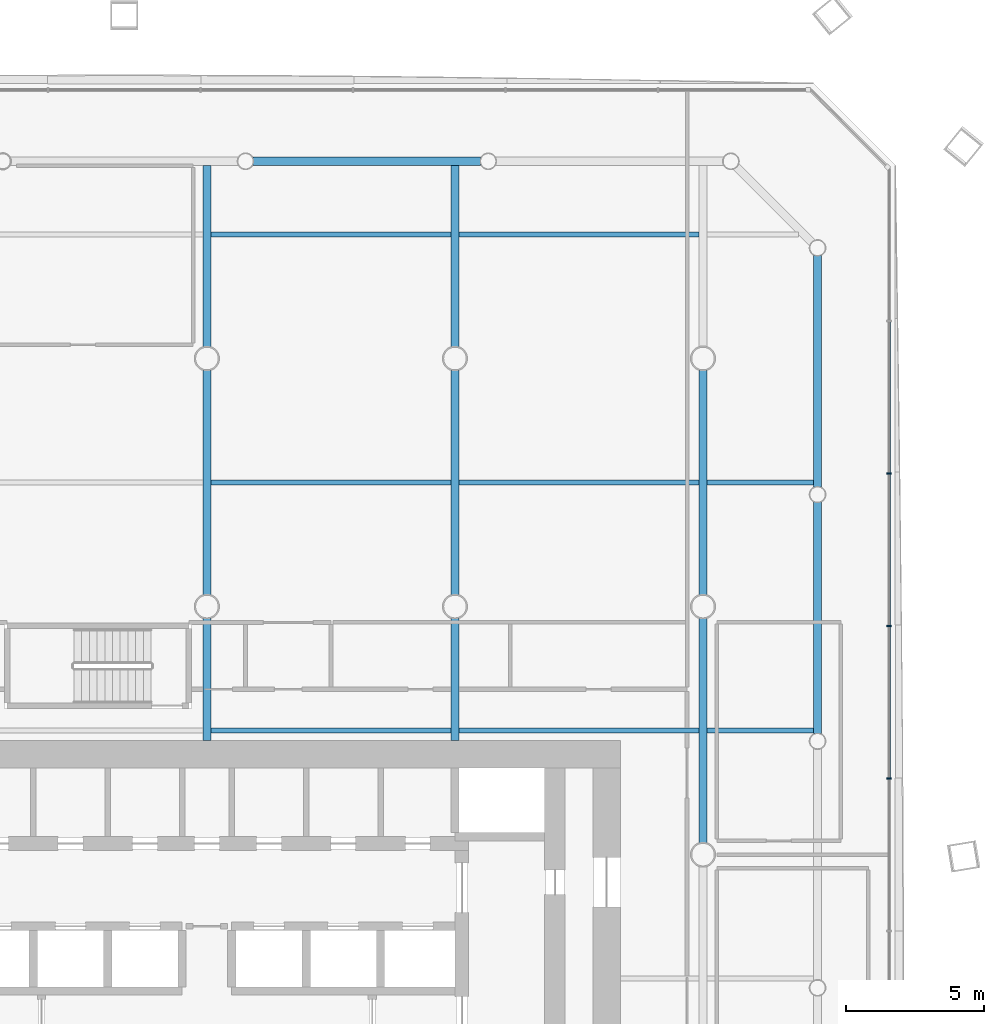
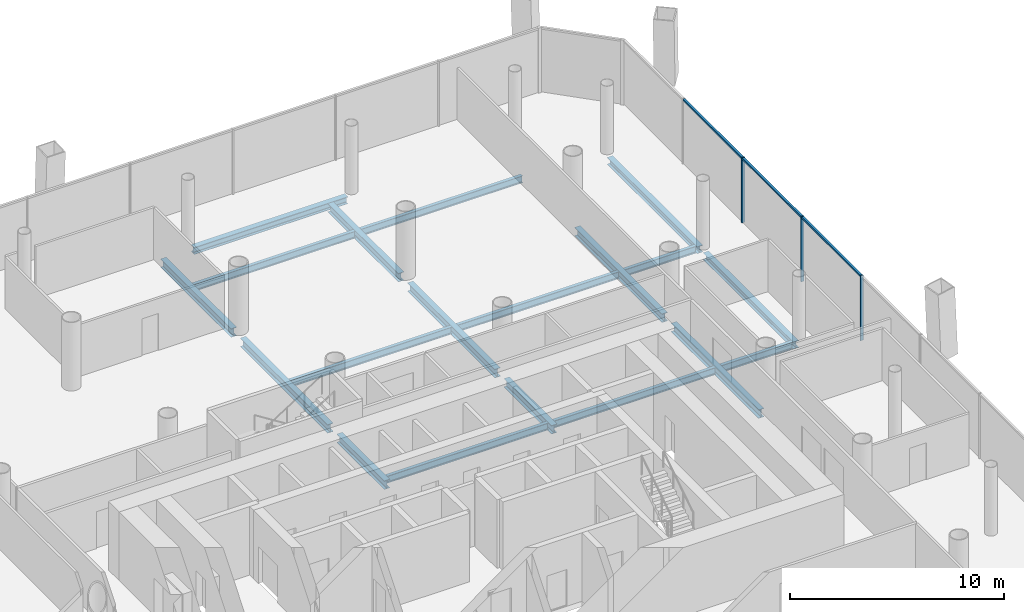
# One storey, part 11 of 22: 19 beams, 6 members, 1 element without a shape of its own.
"""IFC4 building model written with IfcOpenShell, lengths in metres."""

from ifc_helpers import new_model, si_unit, direction, frame, origin, origin_2d, place, context, subcontext, project, spatial, rectangle, i_section, extrude, material, material_profile, profile_set, type_object, element, aggregate, save


model = new_model("IFC4")

# Units and contexts
model_context = context("Model", 3, precision=1e-05, world=origin(), true_north=direction((0.0, 1.0)))
body_context = subcontext(model_context, "Body", "Model", "MODEL_VIEW")
ifc_project = project(units=[si_unit("LENGTHUNIT", "METRE"), si_unit("AREAUNIT", "SQUARE_METRE"), si_unit("VOLUMEUNIT", "CUBIC_METRE"), si_unit("PLANEANGLEUNIT", "RADIAN"), si_unit("MASSUNIT", "GRAM", prefix="KILO")], contexts=[model_context])

# Site, building, storey
site_placement = place(None, origin())
site = spatial("IfcSite", under=ifc_project, at=site_placement, CompositionType="ELEMENT")
building_placement = place(site_placement, origin())
building = spatial("IfcBuilding", under=site, at=building_placement, Name="Tskaro Facet Tower", CompositionType="ELEMENT")
storey_placement = place(building_placement, frame((0.0, 0.0, 18.60009765625)))
storey = spatial("IfcBuildingStorey", under=building, at=storey_placement, Name="L03", CompositionType="ELEMENT", Elevation=18.60009765625)

# Curtain wall, members
ifc_material_1 = material(Name="Bronze anodised aluminium 6063-T6", Category="aluminium")
curtain_wall_type = type_object("IfcCurtainWallType", Name="Bronze office curtain wall (FW1)", PredefinedType="NOTDEFINED", material=ifc_material_1)
curtain_wall_placement = place(storey_placement, origin())
curtain_wall = element("IfcCurtainWall", 1, at=curtain_wall_placement, inside=storey, type_object=curtain_wall_type, Name="FW1 east facet L03", PredefinedType="NOTDEFINED")
ifc_material_profile_1 = material_profile(ifc_material_1, rectangle(XDim=0.06005859375, YDim=0.159912109375, at=origin_2d()), Name="Mullion 60x160")
ifc_profile_set_1 = profile_set([ifc_material_profile_1], Name="Bronze anodised aluminium 6063-T6")
member_type_1 = type_object("IfcMemberType", Name="FW1 bronze mullion 60x160", PredefinedType="MULLION", material=ifc_profile_set_1)
member_1_placement = place(storey_placement, frame((24.75, 2.76611328125, 0.0), z_axis=(0.0, 0.0, 1.0), x_axis=(0.0, 1.0, 0.0)))
member_1 = element("IfcMember", 2, at=member_1_placement, type_object=member_type_1, Name="FW1 east mullion 5", PredefinedType="MULLION", context=body_context, shape_type="SweptSolid", body=[
    extrude(rectangle(XDim=0.06005859375, YDim=0.159912109375, at=origin_2d()), origin(), (0.0, 0.0, 1.0), 3.699951171875),
])
member_2_placement = place(storey_placement, frame((24.75, 8.298583984375, 0.0), z_axis=(0.0, 0.0, 1.0), x_axis=(0.0, 1.0, 0.0)))
member_2 = element("IfcMember", 3, at=member_2_placement, type_object=member_type_1, Name="FW1 east mullion 6", PredefinedType="MULLION", context=body_context, shape_type="SweptSolid", body=[
    extrude(rectangle(XDim=0.06005859375, YDim=0.159912109375, at=origin_2d()), origin(), (0.0, 0.0, 1.0), 3.699951171875),
])
member_3_placement = place(storey_placement, frame((24.75, 13.8310546875, 0.0), z_axis=(0.0, 0.0, 1.0), x_axis=(0.0, 1.0, 0.0)))
member_3 = element("IfcMember", 4, at=member_3_placement, type_object=member_type_1, Name="FW1 east mullion 7", PredefinedType="MULLION", context=body_context, shape_type="SweptSolid", body=[
    extrude(rectangle(XDim=0.06005859375, YDim=0.159912109375, at=origin_2d()), origin(), (0.0, 0.0, 1.0), 3.699951171875),
])
ifc_material_profile_2 = material_profile(ifc_material_1, rectangle(XDim=0.1201171875, YDim=0.10009765625, at=origin_2d()), Name="Transom 120x100")
ifc_profile_set_2 = profile_set([ifc_material_profile_2], Name="Bronze anodised aluminium 6063-T6")
member_type_2 = type_object("IfcMemberType", Name="FW1 bronze transom 120x100", PredefinedType="USERDEFINED", material=ifc_profile_set_2)
member_4_placement = place(storey_placement, frame((24.75, 2.796142578125, 3.64990234375), z_axis=(0.0, 1.0, 0.0), x_axis=(-1.0, 0.0, 0.0)))
member_4 = element("IfcMember", 5, at=member_4_placement, type_object=member_type_2, Name="FW1 east transom 6.1", ObjectType="TRANSOM", PredefinedType="USERDEFINED", context=body_context, shape_type="SweptSolid", body=[
    extrude(rectangle(XDim=0.1201171875, YDim=0.10009765625, at=origin_2d()), origin(), (0.0, 0.0, 1.0), 5.472412109375),
])
member_5_placement = place(storey_placement, frame((24.75, 8.32861328125, 3.64990234375), z_axis=(0.0, 1.0, 0.0), x_axis=(-1.0, 0.0, 0.0)))
member_5 = element("IfcMember", 6, at=member_5_placement, type_object=member_type_2, Name="FW1 east transom 7.1", ObjectType="TRANSOM", PredefinedType="USERDEFINED", context=body_context, shape_type="SweptSolid", body=[
    extrude(rectangle(XDim=0.1201171875, YDim=0.10009765625, at=origin_2d()), origin(), (0.0, 0.0, 1.0), 5.472412109375),
])
member_6_placement = place(storey_placement, frame((24.75, 13.861083984375, 3.64990234375), z_axis=(0.0, 1.0, 0.0), x_axis=(-1.0, 0.0, 0.0)))
member_6 = element("IfcMember", 7, at=member_6_placement, type_object=member_type_2, Name="FW1 east transom 8.1", ObjectType="TRANSOM", PredefinedType="USERDEFINED", context=body_context, shape_type="SweptSolid", body=[
    extrude(rectangle(XDim=0.1201171875, YDim=0.10009765625, at=origin_2d()), origin(), (0.0, 0.0, 1.0), 5.472412109375),
])
aggregate(curtain_wall, [member_1, member_2, member_3, member_4, member_5, member_6])

# Beams
ifc_material_2 = material(Name="Steel S355J2", Category="steel")
ifc_material_profile_3 = material_profile(ifc_material_2, i_section(OverallWidth=0.300048828125, OverallDepth=0.39990234375, WebThickness=0.013427734375, FlangeThickness=0.02392578125, FilletRadius=0.027099609375, at=origin_2d()), Name="HE 400 B")
ifc_profile_set_3 = profile_set([ifc_material_profile_3], Name="Steel S355J2")
beam_type_1 = type_object("IfcBeamType", Name="HE 400 B ring beam", PredefinedType="BEAM", material=ifc_profile_set_3)
for number, where, z_axis, x_axis, name in (
    (8, (22.156982421875, 4.39111328125, -0.340087890625), (0.0, 1.0, 0.0), (-1.0, 0.0, 0.0), "HE 400 B EB11-1"),
    (9, (22.156982421875, 13.339111328125, -0.340087890625), (0.0, 1.0, 0.0), (-1.0, 0.0, 0.0), "HE 400 B EB12-1"),
):
    element("IfcBeam", number, at=place(storey_placement, frame(where, z_axis=z_axis, x_axis=x_axis)), inside=storey, type_object=beam_type_1, Name=name, PredefinedType="BEAM", context=body_context, shape_type="SweptSolid", body=[
        extrude(i_section(OverallWidth=0.300048828125, OverallDepth=0.39990234375, WebThickness=0.013427734375, FlangeThickness=0.02392578125, FilletRadius=0.027099609375, at=origin_2d()), origin(), (0.0, 0.0, 1.0), 8.39794921875),
    ])
beam_1_placement = place(storey_placement, frame((9.931884765625, 25.156982421875, -0.340087890625), z_axis=(-1.0, 0.0, 0.0), x_axis=(0.0, -1.0, 0.0)))
element("IfcBeam", 10, at=beam_1_placement, inside=storey, type_object=beam_type_1, Name="HE 400 B EB15-1", PredefinedType="BEAM", context=body_context, shape_type="SweptSolid", body=[
    extrude(i_section(OverallWidth=0.300048828125, OverallDepth=0.39990234375, WebThickness=0.013427734375, FlangeThickness=0.02392578125, FilletRadius=0.027099609375, at=origin_2d()), origin(), (0.0, 0.0, 1.0), 8.2548828125),
])
ifc_material_profile_4 = material_profile(ifc_material_2, i_section(OverallWidth=0.300048828125, OverallDepth=0.489990234375, WebThickness=0.011962890625, FlangeThickness=0.02294921875, FilletRadius=0.027099609375, at=origin_2d()), Name="HE 500 A")
ifc_profile_set_4 = profile_set([ifc_material_profile_4], Name="Steel S355J2")
beam_type_2 = type_object("IfcBeamType", Name="HE 500 A girder", PredefinedType="BEAM", material=ifc_profile_set_4)
beam_2_placement = place(storey_placement, frame((0.0, 4.14990234375, -0.385009765625), z_axis=(0.0, 1.0, 0.0), x_axis=(-1.0, 0.0, 0.0)))
element("IfcBeam", 11, at=beam_2_placement, inside=storey, type_object=beam_type_2, Name="HE 500 A GB4-3-1", PredefinedType="BEAM", context=body_context, shape_type="SweptSolid", body=[
    extrude(i_section(OverallWidth=0.300048828125, OverallDepth=0.489990234375, WebThickness=0.011962890625, FlangeThickness=0.02294921875, FilletRadius=0.027099609375, at=origin_2d()), origin(), (0.0, 0.0, 1.0), 4.4228515625),
])
beam_3_placement = place(storey_placement, frame((0.0, 9.42724609375, -0.385009765625), z_axis=(0.0, 1.0, 0.0), x_axis=(-1.0, 0.0, 0.0)))
element("IfcBeam", 12, at=beam_3_placement, inside=storey, type_object=beam_type_2, Name="HE 500 A GB4-4-1", PredefinedType="BEAM", context=body_context, shape_type="SweptSolid", body=[
    extrude(i_section(OverallWidth=0.300048828125, OverallDepth=0.489990234375, WebThickness=0.011962890625, FlangeThickness=0.02294921875, FilletRadius=0.027099609375, at=origin_2d()), origin(), (0.0, 0.0, 1.0), 8.1455078125),
])
beam_4_placement = place(storey_placement, frame((0.0, 18.42724609375, -0.385009765625), z_axis=(0.0, 1.0, 0.0), x_axis=(-1.0, 0.0, 0.0)))
element("IfcBeam", 13, at=beam_4_placement, inside=storey, type_object=beam_type_2, Name="HE 500 A GB4-5-1", PredefinedType="BEAM", context=body_context, shape_type="SweptSolid", body=[
    extrude(i_section(OverallWidth=0.300048828125, OverallDepth=0.489990234375, WebThickness=0.011962890625, FlangeThickness=0.02294921875, FilletRadius=0.027099609375, at=origin_2d()), origin(), (0.0, 0.0, 1.0), 6.579833984375),
])
beam_5_placement = place(storey_placement, frame((9.0, 4.14990234375, -0.385009765625), z_axis=(0.0, 1.0, 0.0), x_axis=(-1.0, 0.0, 0.0)))
element("IfcBeam", 14, at=beam_5_placement, inside=storey, type_object=beam_type_2, Name="HE 500 A GB5-3-1", PredefinedType="BEAM", context=body_context, shape_type="SweptSolid", body=[
    extrude(i_section(OverallWidth=0.300048828125, OverallDepth=0.489990234375, WebThickness=0.011962890625, FlangeThickness=0.02294921875, FilletRadius=0.027099609375, at=origin_2d()), origin(), (0.0, 0.0, 1.0), 4.4228515625),
])
beam_6_placement = place(storey_placement, frame((9.0, 9.42724609375, -0.385009765625), z_axis=(0.0, 1.0, 0.0), x_axis=(-1.0, 0.0, 0.0)))
element("IfcBeam", 15, at=beam_6_placement, inside=storey, type_object=beam_type_2, Name="HE 500 A GB5-4-1", PredefinedType="BEAM", context=body_context, shape_type="SweptSolid", body=[
    extrude(i_section(OverallWidth=0.300048828125, OverallDepth=0.489990234375, WebThickness=0.011962890625, FlangeThickness=0.02294921875, FilletRadius=0.027099609375, at=origin_2d()), origin(), (0.0, 0.0, 1.0), 8.1455078125),
])
beam_7_placement = place(storey_placement, frame((9.0, 18.42724609375, -0.385009765625), z_axis=(0.0, 1.0, 0.0), x_axis=(-1.0, 0.0, 0.0)))
element("IfcBeam", 16, at=beam_7_placement, inside=storey, type_object=beam_type_2, Name="HE 500 A GB5-5-1", PredefinedType="BEAM", context=body_context, shape_type="SweptSolid", body=[
    extrude(i_section(OverallWidth=0.300048828125, OverallDepth=0.489990234375, WebThickness=0.011962890625, FlangeThickness=0.02294921875, FilletRadius=0.027099609375, at=origin_2d()), origin(), (0.0, 0.0, 1.0), 6.579833984375),
])
for number, where, z_axis, x_axis, name in (
    (17, (18.0, 0.42724609375, -0.385009765625), (0.0, 1.0, 0.0), (-1.0, 0.0, 0.0), "HE 500 A GB6-4-1"),
    (18, (18.0, 9.42724609375, -0.385009765625), (0.0, 1.0, 0.0), (-1.0, 0.0, 0.0), "HE 500 A GB6-5-1"),
):
    element("IfcBeam", number, at=place(storey_placement, frame(where, z_axis=z_axis, x_axis=x_axis)), inside=storey, type_object=beam_type_2, Name=name, PredefinedType="BEAM", context=body_context, shape_type="SweptSolid", body=[
        extrude(i_section(OverallWidth=0.300048828125, OverallDepth=0.489990234375, WebThickness=0.011962890625, FlangeThickness=0.02294921875, FilletRadius=0.027099609375, at=origin_2d()), origin(), (0.0, 0.0, 1.0), 8.1455078125),
    ])
ifc_material_profile_5 = material_profile(ifc_material_2, i_section(OverallWidth=0.179931640625, OverallDepth=0.39990234375, WebThickness=0.008544921875, FlangeThickness=0.013427734375, FilletRadius=0.02099609375, at=origin_2d()), Name="IPE 400")
ifc_profile_set_5 = profile_set([ifc_material_profile_5], Name="Steel S355J2")
beam_type_3 = type_object("IfcBeamType", Name="IPE 400 secondary beam", PredefinedType="BEAM", material=ifc_profile_set_5)
for number, where, z_axis, x_axis, name in (
    (19, (0.14990234375, 4.5, -0.340087890625), (1.0, 0.0, 0.0), (0.0, 1.0, 0.0), "IPE 400 SB4a-4-1"),
    (20, (9.14990234375, 4.5, -0.340087890625), (1.0, 0.0, 0.0), (0.0, 1.0, 0.0), "IPE 400 SB4a-5-1"),
):
    element("IfcBeam", number, at=place(storey_placement, frame(where, z_axis=z_axis, x_axis=x_axis)), inside=storey, type_object=beam_type_3, Name=name, PredefinedType="BEAM", context=body_context, shape_type="SweptSolid", body=[
        extrude(i_section(OverallWidth=0.179931640625, OverallDepth=0.39990234375, WebThickness=0.008544921875, FlangeThickness=0.013427734375, FilletRadius=0.02099609375, at=origin_2d()), origin(), (0.0, 0.0, 1.0), 8.7001953125),
    ])
beam_8_placement = place(storey_placement, frame((18.14990234375, 4.5, -0.340087890625), z_axis=(1.0, 0.0, 0.0), x_axis=(0.0, 1.0, 0.0)))
element("IfcBeam", 21, at=beam_8_placement, inside=storey, type_object=beam_type_3, Name="IPE 400 SB4a-6-1", PredefinedType="BEAM", context=body_context, shape_type="SweptSolid", body=[
    extrude(i_section(OverallWidth=0.179931640625, OverallDepth=0.39990234375, WebThickness=0.008544921875, FlangeThickness=0.013427734375, FilletRadius=0.02099609375, at=origin_2d()), origin(), (0.0, 0.0, 1.0), 3.857177734375),
])
for number, where, z_axis, x_axis, name in (
    (22, (0.14990234375, 13.5, -0.340087890625), (1.0, 0.0, 0.0), (0.0, 1.0, 0.0), "IPE 400 SB5a-4-1"),
    (23, (9.14990234375, 13.5, -0.340087890625), (1.0, 0.0, 0.0), (0.0, 1.0, 0.0), "IPE 400 SB5a-5-1"),
):
    element("IfcBeam", number, at=place(storey_placement, frame(where, z_axis=z_axis, x_axis=x_axis)), inside=storey, type_object=beam_type_3, Name=name, PredefinedType="BEAM", context=body_context, shape_type="SweptSolid", body=[
        extrude(i_section(OverallWidth=0.179931640625, OverallDepth=0.39990234375, WebThickness=0.008544921875, FlangeThickness=0.013427734375, FilletRadius=0.02099609375, at=origin_2d()), origin(), (0.0, 0.0, 1.0), 8.7001953125),
    ])
beam_9_placement = place(storey_placement, frame((18.14990234375, 13.5, -0.340087890625), z_axis=(1.0, 0.0, 0.0), x_axis=(0.0, 1.0, 0.0)))
element("IfcBeam", 24, at=beam_9_placement, inside=storey, type_object=beam_type_3, Name="IPE 400 SB5a-6-1", PredefinedType="BEAM", context=body_context, shape_type="SweptSolid", body=[
    extrude(i_section(OverallWidth=0.179931640625, OverallDepth=0.39990234375, WebThickness=0.008544921875, FlangeThickness=0.013427734375, FilletRadius=0.02099609375, at=origin_2d()), origin(), (0.0, 0.0, 1.0), 3.857177734375),
])
for number, where, z_axis, x_axis, name in (
    (25, (0.14990234375, 22.5, -0.340087890625), (1.0, 0.0, 0.0), (0.0, 1.0, 0.0), "IPE 400 SB6a-4-1"),
    (26, (9.14990234375, 22.5, -0.340087890625), (1.0, 0.0, 0.0), (0.0, 1.0, 0.0), "IPE 400 SB6a-5-1"),
):
    element("IfcBeam", number, at=place(storey_placement, frame(where, z_axis=z_axis, x_axis=x_axis)), inside=storey, type_object=beam_type_3, Name=name, PredefinedType="BEAM", context=body_context, shape_type="SweptSolid", body=[
        extrude(i_section(OverallWidth=0.179931640625, OverallDepth=0.39990234375, WebThickness=0.008544921875, FlangeThickness=0.013427734375, FilletRadius=0.02099609375, at=origin_2d()), origin(), (0.0, 0.0, 1.0), 8.7001953125),
    ])

save(model, "model.ifc")
